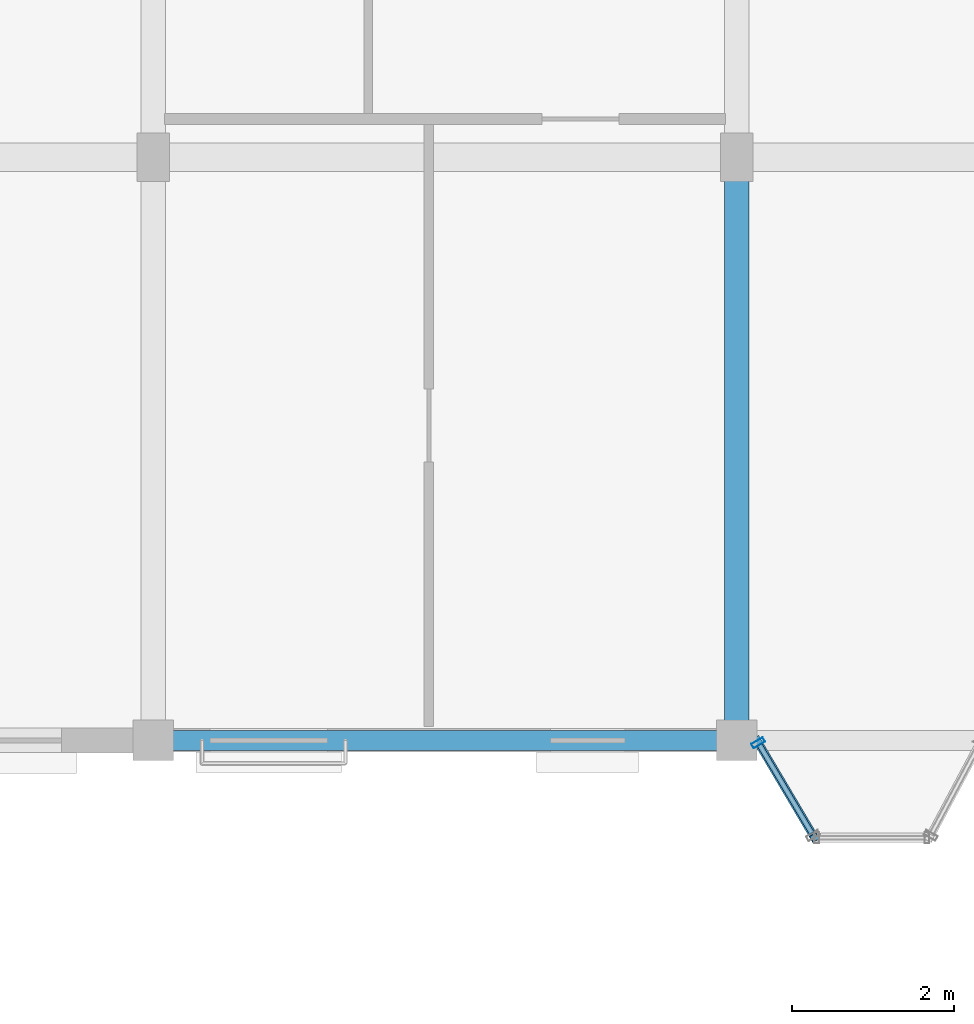
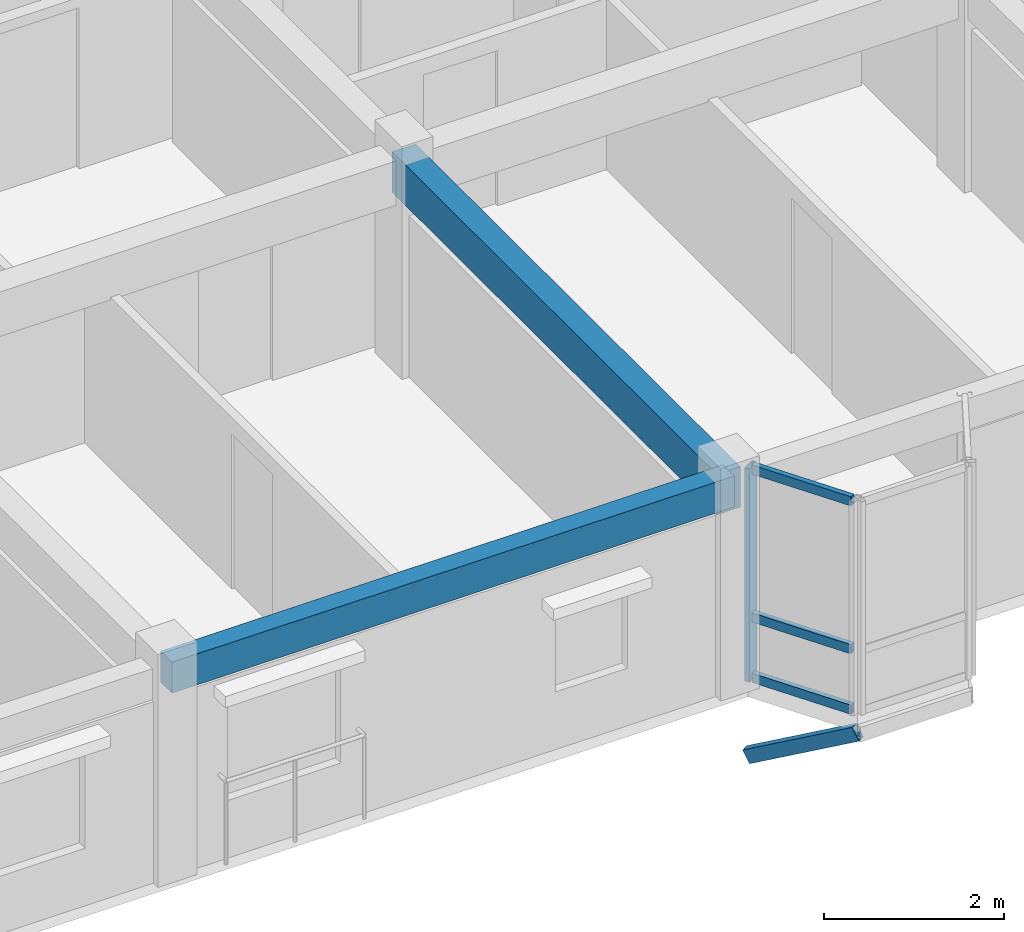
# One storey, part 25 of 64: 5 members, 2 beams, 1 element without a shape of its own.
"""IFC4 building model written with IfcOpenShell, lengths in metres."""

from ifc_helpers import new_model, si_unit, direction, frame, origin, origin_2d, place, context, subcontext, project, spatial, rectangle, hollow_rectangle, extrude, material, layer, layer_set, material_profile, profile_set, type_object, element, aggregate, save


model = new_model("IFC4")

# Units and contexts
model_context = context("Model", 3, precision=1e-05, world=origin(), true_north=direction((0.0, 1.0)))
body_context = subcontext(model_context, "Body", "Model", "MODEL_VIEW")
ifc_project = project(units=[si_unit("LENGTHUNIT", "METRE"), si_unit("AREAUNIT", "SQUARE_METRE"), si_unit("VOLUMEUNIT", "CUBIC_METRE"), si_unit("PLANEANGLEUNIT", "RADIAN"), si_unit("MASSUNIT", "GRAM", prefix="KILO"), si_unit("THERMODYNAMICTEMPERATUREUNIT", "KELVIN"), si_unit("POWERUNIT", "WATT")], contexts=[model_context])

# Site, building, storey
site_placement = place(None, origin())
site = spatial("IfcSite", under=ifc_project, at=site_placement, CompositionType="ELEMENT")
building_placement = place(site_placement, origin())
building = spatial("IfcBuilding", under=site, at=building_placement, Name="Tavuni Mirador Residences", CompositionType="ELEMENT")
storey_placement = place(building_placement, frame((0.0, 0.0, 26.550048828125)))
storey = spatial("IfcBuildingStorey", under=building, at=storey_placement, Name="L08", CompositionType="ELEMENT", Elevation=26.550048828125)

# Beams
ifc_material_1 = material(Name="Precast concrete C40/50", Category="concrete")
ifc_material_profile_1 = material_profile(ifc_material_1, rectangle(XDim=0.300048828125, YDim=0.550048828125, at=origin_2d()), Name="PC 300x550", Category="concrete")
ifc_profile_set_1 = profile_set([ifc_material_profile_1], Name="Precast concrete C40/50")
beam_type_1 = type_object("IfcBeamType", Name="BT-B550", PredefinedType="BEAM", material=ifc_profile_set_1)
beam_1_placement = place(storey_placement, frame((32.39990234375, 144.0, 2.60986328125), z_axis=(0.0, 1.0, 0.0), x_axis=(-1.0, 0.0, 0.0)))
element("IfcBeam", 1, at=beam_1_placement, inside=storey, type_object=beam_type_1, Name="BMY-BLK-C-L08-03-00", PredefinedType="BEAM", context=body_context, shape_type="SweptSolid", body=[
    extrude(rectangle(XDim=0.300048828125, YDim=0.550048828125, at=origin_2d()), origin(), (0.0, 0.0, 1.0), 7.199951171875),
])
ifc_material_profile_2 = material_profile(ifc_material_1, rectangle(XDim=0.25, YDim=0.419921875, at=origin_2d()), Name="PC 250x420", Category="concrete")
ifc_profile_set_2 = profile_set([ifc_material_profile_2], Name="Precast concrete C40/50")
beam_type_2 = type_object("IfcBeamType", Name="BT-SP420", PredefinedType="SPANDREL", material=ifc_profile_set_2)
beam_2_placement = place(storey_placement, frame((25.199951171875, 144.0, 2.675048828125), z_axis=(1.0, 0.0, 0.0), x_axis=(0.0, 1.0, 0.0)))
element("IfcBeam", 2, at=beam_2_placement, inside=storey, type_object=beam_type_2, Name="BMX-BLK-C-L08-02-00", PredefinedType="SPANDREL", context=body_context, shape_type="SweptSolid", body=[
    extrude(rectangle(XDim=0.25, YDim=0.419921875, at=origin_2d()), origin(), (0.0, 0.0, 1.0), 7.199951171875),
])

# Curtain wall, members
ifc_material_2 = material(Name="Anodised aluminium", Category="aluminium")
ifc_layer = layer(ifc_material_2, 0.14990234375, Name="Anodised aluminium", Category="aluminium")
ifc_layer_set = layer_set([ifc_layer], Name="Anodised aluminium")
curtain_wall_type = type_object("IfcCurtainWallType", Name="CWT-MIR-B", PredefinedType="NOTDEFINED", material=ifc_layer_set)
curtain_wall_placement = place(storey_placement, origin())
curtain_wall = element("IfcCurtainWall", 3, at=curtain_wall_placement, inside=storey, type_object=curtain_wall_type, Name="CW-MIR-C-S2-L08-M1", PredefinedType="NOTDEFINED")
ifc_material_profile_3 = material_profile(ifc_material_2, hollow_rectangle(XDim=0.06494140625, YDim=0.1650390625, WallThickness=0.00439453125, at=origin_2d()), Name="ALU 65x165x4.5", Category="aluminium")
ifc_profile_set_3 = profile_set([ifc_material_profile_3], Name="Anodised aluminium")
member_type_1 = type_object("IfcMemberType", Name="CWM-165", PredefinedType="MULLION", material=ifc_profile_set_3)
member_1_placement = place(storey_placement, frame((32.66650390625, 143.971923828125, 0.0), z_axis=(0.0, 0.0, 1.0), x_axis=(0.509212491254, -0.860640830284, 0.0)))
member_1 = element("IfcMember", 4, at=member_1_placement, type_object=member_type_1, Name="CW-02 mullion 1", PredefinedType="MULLION", context=body_context, shape_type="SweptSolid", body=[
    extrude(hollow_rectangle(XDim=0.06494140625, YDim=0.1650390625, WallThickness=0.00439453125, at=origin_2d()), origin(), (0.0, 0.0, 1.0), 2.885009765625),
])
ifc_material_profile_4 = material_profile(ifc_material_2, hollow_rectangle(XDim=0.06494140625, YDim=0.125, WallThickness=0.00439453125, at=origin_2d()), Name="ALU 65x125x4.5", Category="aluminium")
ifc_profile_set_4 = profile_set([ifc_material_profile_4], Name="Anodised aluminium")
member_type_2 = type_object("IfcMemberType", Name="CWT-125", PredefinedType="USERDEFINED", material=ifc_profile_set_4)
member_2_placement = place(storey_placement, frame((32.68310546875, 143.944091796875, 0.032470703125), z_axis=(0.509204147839, -0.860645766749, 0.0), x_axis=(0.860645766749, 0.509204147839, 0.0)))
member_2 = element("IfcMember", 5, at=member_2_placement, type_object=member_type_2, Name="CW-02 transom 1.1", ObjectType="TRANSOM", PredefinedType="USERDEFINED", context=body_context, shape_type="SweptSolid", body=[
    extrude(hollow_rectangle(XDim=0.06494140625, YDim=0.125, WallThickness=0.00439453125, at=origin_2d()), origin(), (0.0, 0.0, 1.0), 1.264404296875),
])
member_3_placement = place(storey_placement, frame((32.68310546875, 143.944091796875, 0.849853515625), z_axis=(0.509204147839, -0.860645766749, 0.0), x_axis=(0.860645766749, 0.509204147839, 0.0)))
member_3 = element("IfcMember", 6, at=member_3_placement, type_object=member_type_2, Name="CW-02 transom 1.2", ObjectType="TRANSOM", PredefinedType="USERDEFINED", context=body_context, shape_type="SweptSolid", body=[
    extrude(hollow_rectangle(XDim=0.06494140625, YDim=0.125, WallThickness=0.00439453125, at=origin_2d()), origin(), (0.0, 0.0, 1.0), 1.264404296875),
])
member_4_placement = place(storey_placement, frame((32.68310546875, 143.944091796875, 2.8525390625), z_axis=(0.509204147839, -0.860645766749, 0.0), x_axis=(0.860645766749, 0.509204147839, 0.0)))
member_4 = element("IfcMember", 7, at=member_4_placement, type_object=member_type_2, Name="CW-02 transom 1.3", ObjectType="TRANSOM", PredefinedType="USERDEFINED", context=body_context, shape_type="SweptSolid", body=[
    extrude(hollow_rectangle(XDim=0.06494140625, YDim=0.125, WallThickness=0.00439453125, at=origin_2d()), origin(), (0.0, 0.0, 1.0), 1.264404296875),
])
aggregate(curtain_wall, [member_1, member_2, member_3, member_4])

# Member
ifc_material_3 = material(Name="Structural steel S355", Category="steel")
ifc_material_profile_5 = material_profile(ifc_material_3, hollow_rectangle(XDim=0.10009765625, YDim=0.179931640625, WallThickness=0.008056640625, at=origin_2d()), Name="RHS 180x100x8.0", Category="steel")
ifc_profile_set_5 = profile_set([ifc_material_profile_5], Name="Structural steel S355")
member_type_3 = type_object("IfcMemberType", Name="MT-BR-RHS180", PredefinedType="BRACE", material=ifc_profile_set_5)
member_5_placement = place(storey_placement, frame((32.64990234375, 144.0, -1.050048828125), z_axis=(0.44384687269, -0.749916596518, 0.49053547463), x_axis=(0.860567285497, 0.509336771823, 0.0)))
element("IfcMember", 8, at=member_5_placement, inside=storey, type_object=member_type_3, Name="MBRK-MIR-C-S2-L08-1", PredefinedType="BRACE", context=body_context, shape_type="SweptSolid", body=[
    extrude(hollow_rectangle(XDim=0.10009765625, YDim=0.179931640625, WallThickness=0.008056640625, at=origin_2d()), origin(), (0.0, 0.0, 1.0), 1.60009765625),
])

save(model, "model.ifc")
